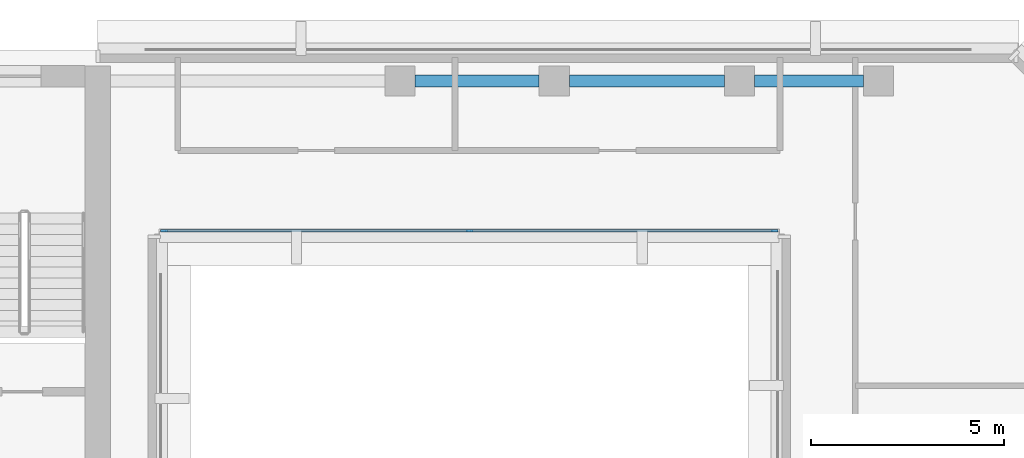
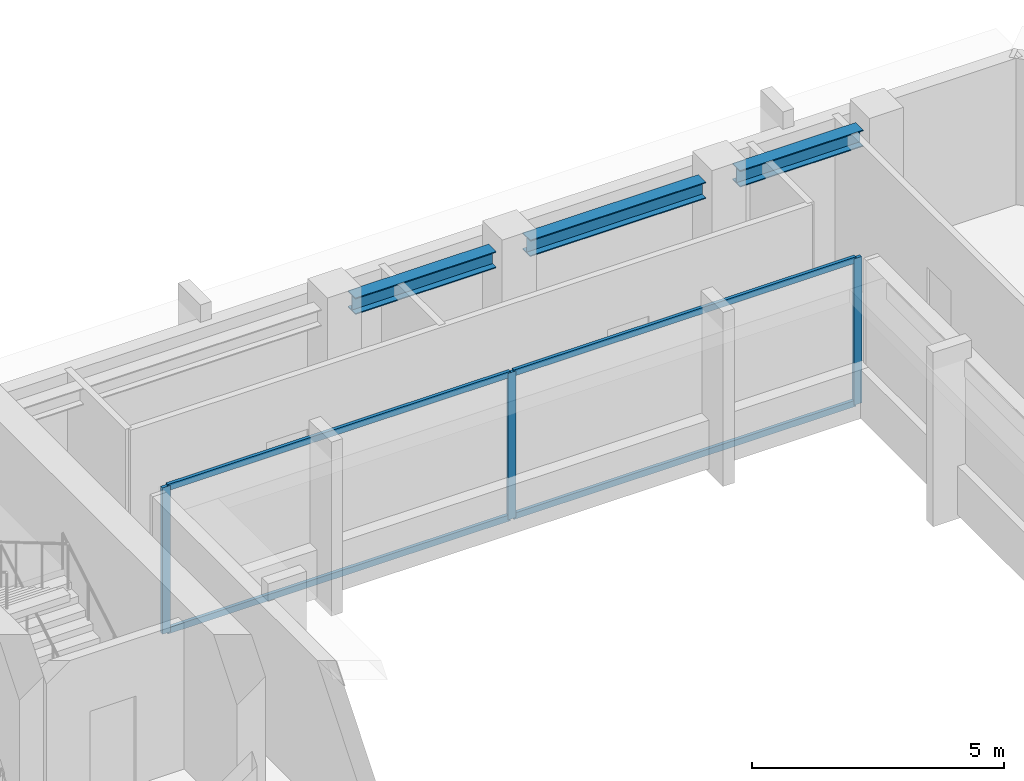
# One storey, part 4 of 11: 7 members, 3 beams, 1 element without a shape of its own.
"""IFC4 building model written with IfcOpenShell, lengths in metres."""

from ifc_helpers import new_model, si_unit, direction, frame, origin, origin_2d, place, context, subcontext, project, spatial, rectangle, i_section, extrude, material, layer, layer_set, material_profile, profile_set, type_object, element, aggregate, save


model = new_model("IFC4")

# Units and contexts
model_context = context("Model", 3, precision=1e-05, world=origin(), true_north=direction((0.0, 1.0)))
body_context = subcontext(model_context, "Body", "Model", "MODEL_VIEW")
ifc_project = project(units=[si_unit("LENGTHUNIT", "METRE"), si_unit("AREAUNIT", "SQUARE_METRE"), si_unit("VOLUMEUNIT", "CUBIC_METRE"), si_unit("PLANEANGLEUNIT", "RADIAN"), si_unit("MASSUNIT", "GRAM", prefix="KILO")], contexts=[model_context])

# Site, building, storey
site_placement = place(None, origin())
site = spatial("IfcSite", under=ifc_project, at=site_placement, CompositionType="ELEMENT")
building_placement = place(site_placement, origin())
building = spatial("IfcBuilding", under=site, at=building_placement, Name="Kefirva Bronze Tower", CompositionType="ELEMENT")
storey_placement = place(building_placement, frame((0.0, 0.0, 247.5)))
storey = spatial("IfcBuildingStorey", under=building, at=storey_placement, Name="L60", CompositionType="ELEMENT", Elevation=247.5)

# Curtain wall, members
ifc_material_1 = material(Name="Bronze anodised aluminium", Category="aluminium")
ifc_layer = layer(ifc_material_1, 0.179931640625, Name="Bronze anodised aluminium")
ifc_layer_set = layer_set([ifc_layer], Name="Bronze anodised aluminium")
curtain_wall_type = type_object("IfcCurtainWallType", Name="Unitised Bronze Ribbon Curtain Wall Zone 3", PredefinedType="USERDEFINED", material=ifc_layer_set)
curtain_wall_placement = place(storey_placement, origin())
curtain_wall = element("IfcCurtainWall", 1, at=curtain_wall_placement, inside=storey, type_object=curtain_wall_type, Name="L60 Curtain Wall 2", ObjectType="UNITISED CURTAIN WALL", PredefinedType="USERDEFINED")
ifc_material_profile_1 = material_profile(ifc_material_1, rectangle(XDim=0.074951171875, YDim=0.179931640625, at=origin_2d()), Name="ALU 75x180")
ifc_profile_set_1 = profile_set([ifc_material_profile_1], Name="Bronze anodised aluminium")
member_type_1 = type_object("IfcMemberType", Name="Bronze Mullion 75x180", PredefinedType="MULLION", material=ifc_profile_set_1)
member_1_placement = place(storey_placement, frame((25.092529296875, 41.320068359375, 0.0), z_axis=(0.0, 0.0, 1.0), x_axis=(0.0, 1.0, 0.0)))
member_1 = element("IfcMember", 2, at=member_1_placement, type_object=member_type_1, Name="CW-03 mullion 1", PredefinedType="MULLION", context=body_context, shape_type="SweptSolid", body=[
    extrude(rectangle(XDim=0.074951171875, YDim=0.179931640625, at=origin_2d()), origin(), (0.0, 0.0, 1.0), 3.5400390625),
])
member_2_placement = place(storey_placement, frame((33.0, 41.320068359375, 0.0), z_axis=(0.0, 0.0, 1.0), x_axis=(0.0, 1.0, 0.0)))
member_2 = element("IfcMember", 3, at=member_2_placement, type_object=member_type_1, Name="CW-03 mullion 2", PredefinedType="MULLION", context=body_context, shape_type="SweptSolid", body=[
    extrude(rectangle(XDim=0.074951171875, YDim=0.179931640625, at=origin_2d()), origin(), (0.0, 0.0, 1.0), 3.5400390625),
])
member_3_placement = place(storey_placement, frame((40.907470703125, 41.320068359375, 0.0), z_axis=(0.0, 0.0, 1.0), x_axis=(0.0, 1.0, 0.0)))
member_3 = element("IfcMember", 4, at=member_3_placement, type_object=member_type_1, Name="CW-03 mullion 3", PredefinedType="MULLION", context=body_context, shape_type="SweptSolid", body=[
    extrude(rectangle(XDim=0.074951171875, YDim=0.179931640625, at=origin_2d()), origin(), (0.0, 0.0, 1.0), 3.5400390625),
])
ifc_material_profile_2 = material_profile(ifc_material_1, rectangle(XDim=0.074951171875, YDim=0.14990234375, at=origin_2d()), Name="ALU 75x150")
ifc_profile_set_2 = profile_set([ifc_material_profile_2], Name="Bronze anodised aluminium")
member_type_2 = type_object("IfcMemberType", Name="Bronze Transom 75x150", PredefinedType="USERDEFINED", material=ifc_profile_set_2)
member_4_placement = place(storey_placement, frame((25.1298828125, 41.320068359375, 0.03759765625), z_axis=(1.0, 0.0, 0.0), x_axis=(0.0, 1.0, 0.0)))
member_4 = element("IfcMember", 5, at=member_4_placement, type_object=member_type_2, Name="CW-03 transom 1.1", ObjectType="TRANSOM", PredefinedType="USERDEFINED", context=body_context, shape_type="SweptSolid", body=[
    extrude(rectangle(XDim=0.074951171875, YDim=0.14990234375, at=origin_2d()), origin(), (0.0, 0.0, 1.0), 7.83251953125),
])
member_5_placement = place(storey_placement, frame((25.1298828125, 41.320068359375, 3.50244140625), z_axis=(1.0, 0.0, 0.0), x_axis=(0.0, 1.0, 0.0)))
member_5 = element("IfcMember", 6, at=member_5_placement, type_object=member_type_2, Name="CW-03 transom 1.2", ObjectType="TRANSOM", PredefinedType="USERDEFINED", context=body_context, shape_type="SweptSolid", body=[
    extrude(rectangle(XDim=0.074951171875, YDim=0.14990234375, at=origin_2d()), origin(), (0.0, 0.0, 1.0), 7.83251953125),
])
member_6_placement = place(storey_placement, frame((33.03759765625, 41.320068359375, 0.03759765625), z_axis=(1.0, 0.0, 0.0), x_axis=(0.0, 1.0, 0.0)))
member_6 = element("IfcMember", 7, at=member_6_placement, type_object=member_type_2, Name="CW-03 transom 2.1", ObjectType="TRANSOM", PredefinedType="USERDEFINED", context=body_context, shape_type="SweptSolid", body=[
    extrude(rectangle(XDim=0.074951171875, YDim=0.14990234375, at=origin_2d()), origin(), (0.0, 0.0, 1.0), 7.83251953125),
])
member_7_placement = place(storey_placement, frame((33.03759765625, 41.320068359375, 3.50244140625), z_axis=(1.0, 0.0, 0.0), x_axis=(0.0, 1.0, 0.0)))
member_7 = element("IfcMember", 8, at=member_7_placement, type_object=member_type_2, Name="CW-03 transom 2.2", ObjectType="TRANSOM", PredefinedType="USERDEFINED", context=body_context, shape_type="SweptSolid", body=[
    extrude(rectangle(XDim=0.074951171875, YDim=0.14990234375, at=origin_2d()), origin(), (0.0, 0.0, 1.0), 7.83251953125),
])
aggregate(curtain_wall, [member_1, member_2, member_3, member_4, member_5, member_6, member_7])

# Beams
ifc_material_2 = material(Name="Steel S355", Category="steel")
ifc_material_profile_3 = material_profile(ifc_material_2, i_section(OverallWidth=0.300048828125, OverallDepth=0.39990234375, WebThickness=0.013427734375, FlangeThickness=0.02392578125, at=origin_2d()), Name="HEB 400")
ifc_profile_set_3 = profile_set([ifc_material_profile_3], Name="Steel S355")
beam_type = type_object("IfcBeamType", Name="Steel Spandrel HEB 400 Ext", PredefinedType="SPANDREL", material=ifc_profile_set_3)
beam_1_placement = place(storey_placement, frame((31.590087890625, 45.199951171875, 3.340087890625), z_axis=(1.0, 0.0, 0.0), x_axis=(0.0, 1.0, 0.0)))
element("IfcBeam", 9, at=beam_1_placement, inside=storey, type_object=beam_type, Name="L60 BM-L60-EW-31-452", PredefinedType="SPANDREL", context=body_context, shape_type="SweptSolid", body=[
    extrude(i_section(OverallWidth=0.300048828125, OverallDepth=0.39990234375, WebThickness=0.013427734375, FlangeThickness=0.02392578125, at=origin_2d()), origin(), (0.0, 0.0, 1.0), 3.219970703125),
])
beam_2_placement = place(storey_placement, frame((35.590087890625, 45.199951171875, 3.340087890625), z_axis=(1.0, 0.0, 0.0), x_axis=(0.0, 1.0, 0.0)))
element("IfcBeam", 10, at=beam_2_placement, inside=storey, type_object=beam_type, Name="L60 BM-L60-EW-35-452", PredefinedType="SPANDREL", context=body_context, shape_type="SweptSolid", body=[
    extrude(i_section(OverallWidth=0.300048828125, OverallDepth=0.39990234375, WebThickness=0.013427734375, FlangeThickness=0.02392578125, at=origin_2d()), origin(), (0.0, 0.0, 1.0), 4.02001953125),
])
beam_3_placement = place(storey_placement, frame((40.389892578125, 45.199951171875, 3.340087890625), z_axis=(1.0, 0.0, 0.0), x_axis=(0.0, 1.0, 0.0)))
element("IfcBeam", 11, at=beam_3_placement, inside=storey, type_object=beam_type, Name="L60 BM-L60-EW-40-452", PredefinedType="SPANDREL", context=body_context, shape_type="SweptSolid", body=[
    extrude(i_section(OverallWidth=0.300048828125, OverallDepth=0.39990234375, WebThickness=0.013427734375, FlangeThickness=0.02392578125, at=origin_2d()), origin(), (0.0, 0.0, 1.0), 2.820068359375),
])

save(model, "model.ifc")
